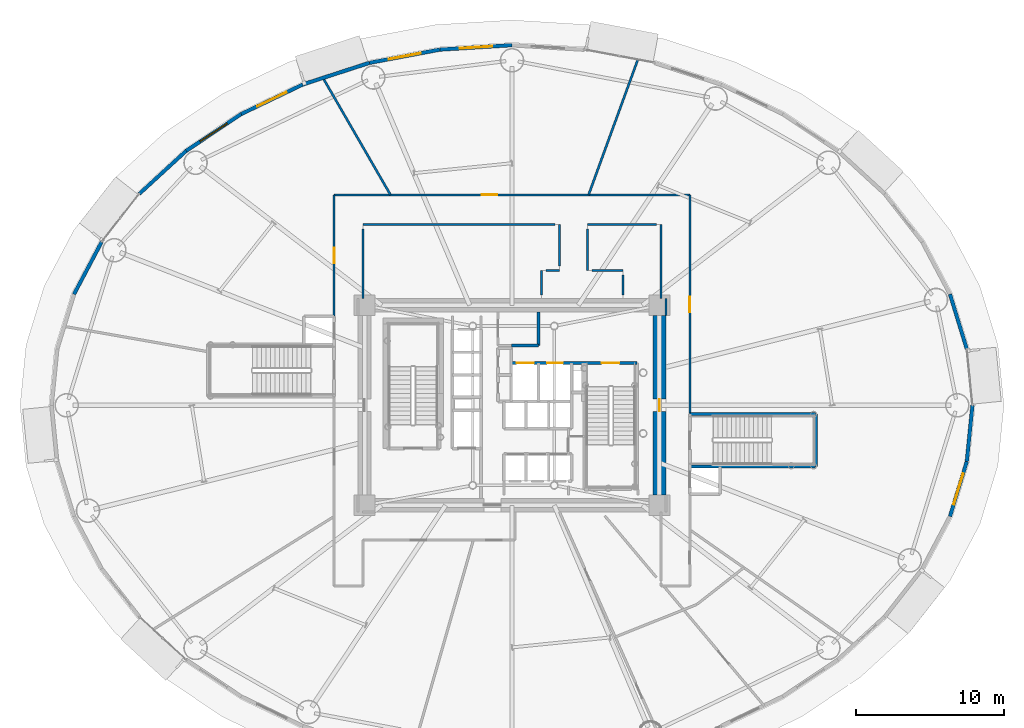
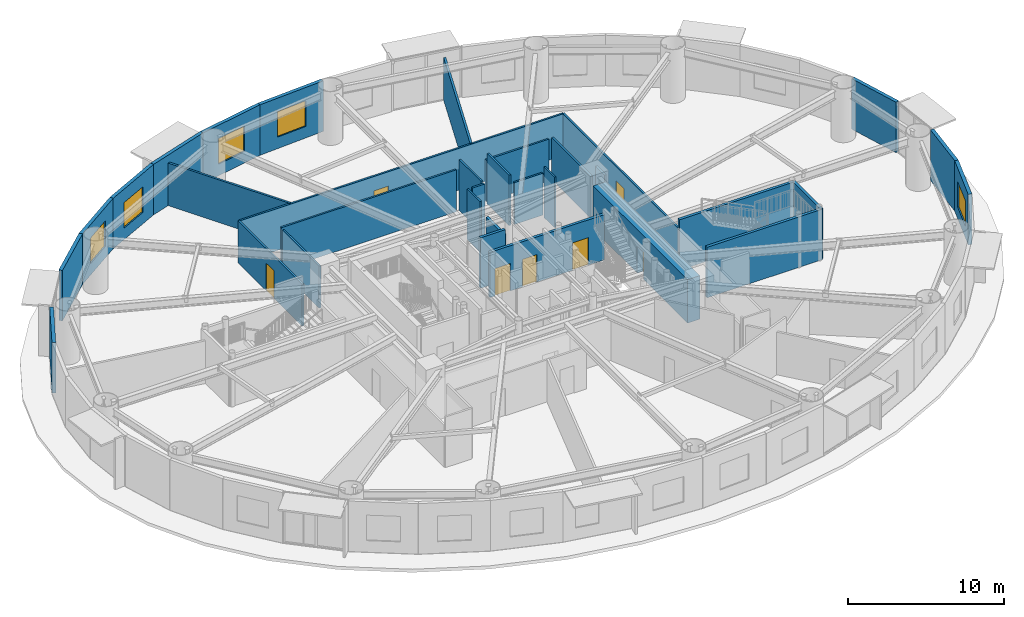
# One storey, part 22 of 35: 33 walls, 7 doors, 5 windows, 12 openings.
"""IFC4 building model written with IfcOpenShell, lengths in metres."""

from ifc_helpers import new_model, si_unit, direction, frame, frame_2d, origin, origin_2d, place, context, subcontext, project, spatial, rectangle, extrude, source, transform, mapped, material, layer, layer_set, type_object, element, fill, save


model = new_model("IFC4")

# Units and contexts
model_context = context("Model", 3, precision=1e-05, world=origin(), true_north=direction((0.0, 1.0)))
body_context = subcontext(model_context, "Body", "Model", "MODEL_VIEW")
ifc_project = project(units=[si_unit("LENGTHUNIT", "METRE"), si_unit("AREAUNIT", "SQUARE_METRE"), si_unit("VOLUMEUNIT", "CUBIC_METRE"), si_unit("PLANEANGLEUNIT", "RADIAN"), si_unit("MASSUNIT", "GRAM", prefix="KILO")], contexts=[model_context])

# Site, building, storey
site_placement = place(None, origin())
site = spatial("IfcSite", under=ifc_project, at=site_placement, CompositionType="ELEMENT")
building_placement = place(site_placement, origin())
building = spatial("IfcBuilding", under=site, at=building_placement, Name="Linh Dai School and Residence Tower", CompositionType="ELEMENT")
storey_placement = place(building_placement, frame((0.0, 0.0, 32.39990234375)))
storey = spatial("IfcBuildingStorey", under=building, at=storey_placement, Name="L07", CompositionType="ELEMENT", Elevation=32.39990234375)

# Wall
ifc_material_1 = material(Name="Precast Concrete B45 (C35/45)", Category="concrete")
ifc_layer_1 = layer(ifc_material_1, 0.25)
ifc_layer_set_1 = layer_set([ifc_layer_1], Name="Precast Concrete B45 (C35/45)")
wall_type_1 = type_object("IfcWallType", Name="EW-TC-250", PredefinedType="SOLIDWALL", material=ifc_layer_set_1)
wall_1_placement = place(storey_placement, frame((65.5576171875, 34.50146484375, 0.0), z_axis=(0.0, 0.0, 1.0), x_axis=(0.293111631758, -0.956078224482, 0.0)))
element("IfcWall", 1, at=wall_1_placement, inside=storey, type_object=wall_type_1, Name="L07 Terracotta Exterior Wall 02", PredefinedType="SOLIDWALL", context=body_context, shape_type="SweptSolid", body=[
    extrude(rectangle(XDim=3.874755859375, YDim=0.25, at=frame_2d((1.9375, 0.0))), origin(), (0.0, 0.0, 1.0), 3.9501953125),
])

# Wall, opening, window
wall_2_placement = place(storey_placement, frame((31.134521484375, 51.005126953125, 0.0), z_axis=(0.0, 0.0, 1.0), x_axis=(0.998106954071, 0.061502099433, 0.0)))
wall_2 = element("IfcWall", 2, at=wall_2_placement, inside=storey, type_object=wall_type_1, Name="L07 Terracotta Exterior Wall 11", PredefinedType="SOLIDWALL", context=body_context, shape_type="SweptSolid", body=[
    extrude(rectangle(XDim=4.874755859375, YDim=0.25, at=frame_2d((2.4375, 0.0))), origin(), (0.0, 0.0, 1.0), 3.9501953125),
])
opening_1_placement = place(wall_2_placement, frame((1.33740234375, 0.0, 0.89990234375)))
opening_1 = element("IfcOpeningElement", 3, at=opening_1_placement, cuts=wall_2, Name="Opening W4", PredefinedType="OPENING", context=body_context, shape_type="SweptSolid", body=[
    extrude(rectangle(XDim=2.199951171875, YDim=2.0, at=origin_2d()), frame((1.10009765625, 0.135009765625, 1.0), z_axis=(0.0, -1.0, 0.0), x_axis=(1.0, 0.0, 0.0)), (0.0, 0.0, 1.0), 0.27001953125),
])
ifc_material_2 = material(Name="Acoustic Laminated Low-E Glazing", Category="glass")
window_type = type_object("IfcWindowType", Name="WN-SCH-2200x2000", PartitioningType="TRIPLE_PANEL_VERTICAL", PredefinedType="WINDOW", material=ifc_material_2)
shared_shape_1 = source(origin(), body_context, "Body", "SweptSolid", [
    extrude(rectangle(XDim=2.199951171875, YDim=2.0, at=origin_2d()), frame((1.10009765625, 0.030029296875, 1.0), z_axis=(0.0, -1.0, 0.0), x_axis=(1.0, 0.0, 0.0)), (0.0, 0.0, 1.0), 0.06005859375),
])
window_1_placement = place(opening_1_placement, origin())
window_1 = element("IfcWindow", 4, at=window_1_placement, inside=storey, type_object=window_type, Name="L07 Exterior Window 11.1", OverallHeight=2.0, OverallWidth=2.199951171875, PartitioningType="TRIPLE_PANEL_VERTICAL", PredefinedType="WINDOW", context=body_context, shape_type="MappedRepresentation", body=[
    mapped(shared_shape_1, transform((0.0, 0.0, 0.0), x_axis=(1.0, 0.0, 0.0), y_axis=(0.0, 1.0, 0.0), z_axis=(0.0, 0.0, 1.0), scale=1.0)),
])
fill(opening_1, window_1)

wall_3_placement = place(storey_placement, frame((26.389404296875, 50.11328125, 0.0), z_axis=(0.0, 0.0, 1.0), x_axis=(0.982791952378, 0.184715939598, 0.0)))
wall_3 = element("IfcWall", 5, at=wall_3_placement, inside=storey, type_object=wall_type_1, Name="L07 Terracotta Exterior Wall 12", PredefinedType="SOLIDWALL", context=body_context, shape_type="SweptSolid", body=[
    extrude(rectangle(XDim=4.828125, YDim=0.25, at=frame_2d((2.4140625, 0.0))), origin(), (0.0, 0.0, 1.0), 3.9501953125),
])
opening_2_placement = place(wall_3_placement, frame((1.314208984375, 0.0, 0.89990234375)))
opening_2 = element("IfcOpeningElement", 6, at=opening_2_placement, cuts=wall_3, Name="Opening W4", PredefinedType="OPENING", context=body_context, shape_type="SweptSolid", body=[
    extrude(rectangle(XDim=2.199951171875, YDim=2.0, at=origin_2d()), frame((1.10009765625, 0.135009765625, 1.0), z_axis=(0.0, -1.0, 0.0), x_axis=(1.0, 0.0, 0.0)), (0.0, 0.0, 1.0), 0.27001953125),
])
window_2_placement = place(opening_2_placement, origin())
window_2 = element("IfcWindow", 7, at=window_2_placement, inside=storey, type_object=window_type, Name="L07 Exterior Window 12.1", OverallHeight=2.0, OverallWidth=2.199951171875, PartitioningType="TRIPLE_PANEL_VERTICAL", PredefinedType="WINDOW", context=body_context, shape_type="MappedRepresentation", body=[
    mapped(shared_shape_1, transform((0.0, 0.0, 0.0), x_axis=(1.0, 0.0, 0.0), y_axis=(0.0, 1.0, 0.0), z_axis=(0.0, 0.0, 1.0), scale=1.0)),
])
fill(opening_2, window_2)

# Wall
wall_4_placement = place(storey_placement, frame((21.8818359375, 48.651123046875, 0.0), z_axis=(0.0, 0.0, 1.0), x_axis=(0.951207699013, 0.308551313946, 0.0)))
element("IfcWall", 8, at=wall_4_placement, inside=storey, type_object=wall_type_1, Name="L07 Terracotta Exterior Wall 13", PredefinedType="SOLIDWALL", context=body_context, shape_type="SweptSolid", body=[
    extrude(rectangle(XDim=4.73876953125, YDim=0.25, at=frame_2d((2.369384765625, 0.0))), origin(), (0.0, 0.0, 1.0), 3.9501953125),
])

# Wall, opening, window
wall_5_placement = place(storey_placement, frame((17.722900390625, 46.65576171875, 0.0), z_axis=(0.0, 0.0, 1.0), x_axis=(0.901601503137, 0.432567601123, 0.0)))
wall_5 = element("IfcWall", 9, at=wall_5_placement, inside=storey, type_object=wall_type_1, Name="L07 Terracotta Exterior Wall 14", PredefinedType="SOLIDWALL", context=body_context, shape_type="SweptSolid", body=[
    extrude(rectangle(XDim=4.61279296875, YDim=0.25, at=frame_2d((2.306396484375, 0.0))), origin(), (0.0, 0.0, 1.0), 3.9501953125),
])
opening_3_placement = place(wall_5_placement, frame((1.20654296875, 0.0, 0.89990234375)))
opening_3 = element("IfcOpeningElement", 10, at=opening_3_placement, cuts=wall_5, Name="Opening W4", PredefinedType="OPENING", context=body_context, shape_type="SweptSolid", body=[
    extrude(rectangle(XDim=2.199951171875, YDim=2.0, at=origin_2d()), frame((1.10009765625, 0.135009765625, 1.0), z_axis=(0.0, -1.0, 0.0), x_axis=(1.0, 0.0, 0.0)), (0.0, 0.0, 1.0), 0.27001953125),
])
window_3_placement = place(opening_3_placement, origin())
window_3 = element("IfcWindow", 11, at=window_3_placement, inside=storey, type_object=window_type, Name="L07 Exterior Window 14.1", OverallHeight=2.0, OverallWidth=2.199951171875, PartitioningType="TRIPLE_PANEL_VERTICAL", PredefinedType="WINDOW", context=body_context, shape_type="MappedRepresentation", body=[
    mapped(shared_shape_1, transform((0.0, 0.0, 0.0), x_axis=(1.0, 0.0, 0.0), y_axis=(0.0, 1.0, 0.0), z_axis=(0.0, 0.0, 1.0), scale=1.0)),
])
fill(opening_3, window_3)

wall_6_placement = place(storey_placement, frame((14.015380859375, 44.17626953125, 0.0), z_axis=(0.0, 0.0, 1.0), x_axis=(0.831240982525, 0.555912249343, 0.0)))
wall_6 = element("IfcWall", 12, at=wall_6_placement, inside=storey, type_object=wall_type_1, Name="L07 Terracotta Exterior Wall 15", PredefinedType="SOLIDWALL", context=body_context, shape_type="SweptSolid", body=[
    extrude(rectangle(XDim=4.460205078125, YDim=0.25, at=frame_2d((2.22998046875, 0.0))), origin(), (0.0, 0.0, 1.0), 3.9501953125),
])
opening_4_placement = place(wall_6_placement, frame((1.13037109375, 0.0, 0.89990234375)))
opening_4 = element("IfcOpeningElement", 13, at=opening_4_placement, cuts=wall_6, Name="Opening W4", PredefinedType="OPENING", context=body_context, shape_type="SweptSolid", body=[
    extrude(rectangle(XDim=2.199951171875, YDim=2.0, at=origin_2d()), frame((1.10009765625, 0.135009765625, 1.0), z_axis=(0.0, -1.0, 0.0), x_axis=(1.0, 0.0, 0.0)), (0.0, 0.0, 1.0), 0.27001953125),
])
window_4_placement = place(opening_4_placement, origin())
window_4 = element("IfcWindow", 14, at=window_4_placement, inside=storey, type_object=window_type, Name="L07 Exterior Window 15.1", OverallHeight=2.0, OverallWidth=2.199951171875, PartitioningType="TRIPLE_PANEL_VERTICAL", PredefinedType="WINDOW", context=body_context, shape_type="MappedRepresentation", body=[
    mapped(shared_shape_1, transform((0.0, 0.0, 0.0), x_axis=(1.0, 0.0, 0.0), y_axis=(0.0, 1.0, 0.0), z_axis=(0.0, 0.0, 1.0), scale=1.0)),
])
fill(opening_4, window_4)

# Walls
wall_7_placement = place(storey_placement, frame((10.850341796875, 41.274658203125, 0.0), z_axis=(0.0, 0.0, 1.0), x_axis=(0.737116376281, 0.67576582321, 0.0)))
element("IfcWall", 15, at=wall_7_placement, inside=storey, type_object=wall_type_1, Name="L07 Terracotta Exterior Wall 16", PredefinedType="SOLIDWALL", context=body_context, shape_type="SweptSolid", body=[
    extrude(rectangle(XDim=4.293701171875, YDim=0.25, at=frame_2d((2.14697265625, 0.0))), origin(), (0.0, 0.0, 1.0), 3.9501953125),
])
wall_8_placement = place(storey_placement, frame((6.4423828125, 34.50146484375, 0.0), z_axis=(0.0, 0.0, 1.0), x_axis=(0.467662443071, 0.883907144072, 0.0)))
element("IfcWall", 16, at=wall_8_placement, inside=storey, type_object=wall_type_1, Name="L07 Terracotta Exterior Wall 18", PredefinedType="SOLIDWALL", context=body_context, shape_type="SweptSolid", body=[
    extrude(rectangle(XDim=3.983642578125, YDim=0.25, at=frame_2d((1.99169921875, 0.0))), origin(), (0.0, 0.0, 1.0), 3.9501953125),
])

# Wall, opening, window
wall_9_placement = place(storey_placement, frame((66.693359375, 23.203125, 0.0), z_axis=(0.0, 0.0, 1.0), x_axis=(-0.293111631758, -0.956078224482, 0.0)))
wall_9 = element("IfcWall", 17, at=wall_9_placement, inside=storey, type_object=wall_type_1, Name="L07 Terracotta Exterior Wall 39", PredefinedType="SOLIDWALL", context=body_context, shape_type="SweptSolid", body=[
    extrude(rectangle(XDim=3.874755859375, YDim=0.25, at=frame_2d((1.9375, 0.0))), origin(), (0.0, 0.0, 1.0), 3.9501953125),
])
opening_5_placement = place(wall_9_placement, frame((0.83740234375, 0.0, 0.89990234375)))
opening_5 = element("IfcOpeningElement", 18, at=opening_5_placement, cuts=wall_9, Name="Opening W4", PredefinedType="OPENING", context=body_context, shape_type="SweptSolid", body=[
    extrude(rectangle(XDim=2.199951171875, YDim=2.0, at=origin_2d()), frame((1.10009765625, 0.135009765625, 1.0), z_axis=(0.0, -1.0, 0.0), x_axis=(1.0, 0.0, 0.0)), (0.0, 0.0, 1.0), 0.27001953125),
])
window_5_placement = place(opening_5_placement, origin())
window_5 = element("IfcWindow", 19, at=window_5_placement, inside=storey, type_object=window_type, Name="L07 Exterior Window 39.1", OverallHeight=2.0, OverallWidth=2.199951171875, PartitioningType="TRIPLE_PANEL_VERTICAL", PredefinedType="WINDOW", context=body_context, shape_type="MappedRepresentation", body=[
    mapped(shared_shape_1, transform((0.0, 0.0, 0.0), x_axis=(1.0, 0.0, 0.0), y_axis=(0.0, 1.0, 0.0), z_axis=(0.0, 0.0, 1.0), scale=1.0)),
])
fill(opening_5, window_5)

# Wall
wall_10_placement = place(storey_placement, frame((67.074951171875, 27.0, 0.0), z_axis=(0.0, 0.0, 1.0), x_axis=(-0.099997795174, -0.994987658698, 0.0)))
element("IfcWall", 20, at=wall_10_placement, inside=storey, type_object=wall_type_1, Name="L07 Terracotta Exterior Wall 40", PredefinedType="SOLIDWALL", context=body_context, shape_type="SweptSolid", body=[
    extrude(rectangle(XDim=3.81591796875, YDim=0.25, at=frame_2d((1.907958984375, 0.0))), origin(), (0.0, 0.0, 1.0), 3.9501953125),
])

# Wall, opening, door
ifc_material_3 = material(Name="Autoclaved Aerated Concrete Blockwork", Category="masonry")
ifc_layer_2 = layer(ifc_material_3, 0.135009765625)
ifc_layer_set_2 = layer_set([ifc_layer_2], Name="Autoclaved Aerated Concrete Blockwork")
wall_type_2 = type_object("IfcWallType", Name="IW-CORR-135-EI90", PredefinedType="PARTITIONING", material=ifc_layer_set_2)
wall_11_placement = place(storey_placement, frame((24.0, 33.010009765625, 0.0), z_axis=(0.0, 0.0, 1.0), x_axis=(0.0, 1.0, 0.0)))
wall_11 = element("IfcWall", 21, at=wall_11_placement, inside=storey, type_object=wall_type_2, Name="L07 Interior Partition Wall 012", PredefinedType="PARTITIONING", context=body_context, shape_type="SweptSolid", body=[
    extrude(rectangle(XDim=8.18994140625, YDim=0.135009765625, at=frame_2d((4.094970703125, 0.0))), origin(), (0.0, 0.0, 1.0), 3.28515625),
])
opening_6_placement = place(wall_11_placement, frame((3.570068359375, 0.0, 0.0)))
opening_6 = element("IfcOpeningElement", 22, at=opening_6_placement, cuts=wall_11, Name="Opening D04", PredefinedType="OPENING", context=body_context, shape_type="SweptSolid", body=[
    extrude(rectangle(XDim=1.050048828125, YDim=2.14990234375, at=origin_2d()), frame((0.52490234375, 0.07763671875, 1.074951171875), z_axis=(0.0, -1.0, 0.0), x_axis=(1.0, 0.0, 0.0)), (0.0, 0.0, 1.0), 0.155029296875),
])
ifc_material_4 = material(Name="Acoustic Vision-Panel Timber Classroom Door", Category="wood")
door_type_1 = type_object("IfcDoorType", Name="DR-SCH-1050x2150-FD60S", OperationType="NOTDEFINED", PredefinedType="DOOR", material=ifc_material_4)
shared_shape_2 = source(origin(), body_context, "Body", "SweptSolid", [
    extrude(rectangle(XDim=1.050048828125, YDim=2.14990234375, at=origin_2d()), frame((0.52490234375, 0.02490234375, 1.074951171875), z_axis=(0.0, -1.0, 0.0), x_axis=(1.0, 0.0, 0.0)), (0.0, 0.0, 1.0), 0.050048828125),
])
door_1_placement = place(opening_6_placement, origin())
door_1 = element("IfcDoor", 23, at=door_1_placement, inside=storey, type_object=door_type_1, Name="L07 Physics Optics and Mechanics Lab Door", OperationType="SINGLE_SWING_RIGHT", OverallHeight=2.14990234375, OverallWidth=1.050048828125, PredefinedType="DOOR", context=body_context, shape_type="MappedRepresentation", body=[
    mapped(shared_shape_2, transform((0.0, 0.0, 0.0), x_axis=(1.0, 0.0, 0.0), y_axis=(0.0, 1.0, 0.0), z_axis=(0.0, 0.0, 1.0), scale=1.0)),
])
fill(opening_6, door_1)

wall_12_placement = place(storey_placement, frame((24.0, 41.199951171875, 0.0), z_axis=(0.0, 0.0, 1.0), x_axis=(1.0, 0.0, 0.0)))
wall_12 = element("IfcWall", 24, at=wall_12_placement, inside=storey, type_object=wall_type_2, Name="L07 Interior Partition Wall 013", PredefinedType="PARTITIONING", context=body_context, shape_type="SweptSolid", body=[
    extrude(rectangle(XDim=24.0, YDim=0.135009765625, at=frame_2d((12.0, 0.0))), origin(), (0.0, 0.0, 1.0), 3.28515625),
])
opening_7_placement = place(wall_12_placement, frame((9.9599609375, 0.0, 0.0)))
opening_7 = element("IfcOpeningElement", 25, at=opening_7_placement, cuts=wall_12, Name="Opening D04", PredefinedType="OPENING", context=body_context, shape_type="SweptSolid", body=[
    extrude(rectangle(XDim=1.050048828125, YDim=2.14990234375, at=origin_2d()), frame((0.52490234375, 0.07763671875, 1.074951171875), z_axis=(0.0, -1.0, 0.0), x_axis=(1.0, 0.0, 0.0)), (0.0, 0.0, 1.0), 0.155029296875),
])
door_2_placement = place(opening_7_placement, origin())
door_2 = element("IfcDoor", 26, at=door_2_placement, inside=storey, type_object=door_type_1, Name="L07 Chemistry Wet Laboratory Door", OperationType="SINGLE_SWING_LEFT", OverallHeight=2.14990234375, OverallWidth=1.050048828125, PredefinedType="DOOR", context=body_context, shape_type="MappedRepresentation", body=[
    mapped(shared_shape_2, transform((0.0, 0.0, 0.0), x_axis=(1.0, 0.0, 0.0), y_axis=(0.0, 1.0, 0.0), z_axis=(0.0, 0.0, 1.0), scale=1.0)),
])
fill(opening_7, door_2)

wall_13_placement = place(storey_placement, frame((48.0, 26.429931640625, 0.0), z_axis=(0.0, 0.0, 1.0), x_axis=(0.0, 1.0, 0.0)))
wall_13 = element("IfcWall", 27, at=wall_13_placement, inside=storey, type_object=wall_type_2, Name="L07 Interior Partition Wall 066", PredefinedType="PARTITIONING", context=body_context, shape_type="SweptSolid", body=[
    extrude(rectangle(XDim=14.77001953125, YDim=0.135009765625, at=frame_2d((7.385009765625, 0.0))), origin(), (0.0, 0.0, 1.0), 3.28515625),
])
opening_8_placement = place(wall_13_placement, frame((6.860107421875, 0.0, 0.0)))
opening_8 = element("IfcOpeningElement", 28, at=opening_8_placement, cuts=wall_13, Name="Opening D04", PredefinedType="OPENING", context=body_context, shape_type="SweptSolid", body=[
    extrude(rectangle(XDim=1.050048828125, YDim=2.14990234375, at=origin_2d()), frame((0.52490234375, 0.07763671875, 1.074951171875), z_axis=(0.0, -1.0, 0.0), x_axis=(1.0, 0.0, 0.0)), (0.0, 0.0, 1.0), 0.155029296875),
])
door_3_placement = place(opening_8_placement, origin())
door_3 = element("IfcDoor", 29, at=door_3_placement, inside=storey, type_object=door_type_1, Name="L07 Senior School Tiered Lecture Theatre Door", OperationType="SINGLE_SWING_RIGHT", OverallHeight=2.14990234375, OverallWidth=1.050048828125, PredefinedType="DOOR", context=body_context, shape_type="MappedRepresentation", body=[
    mapped(shared_shape_2, transform((0.0, 0.0, 0.0), x_axis=(1.0, 0.0, 0.0), y_axis=(0.0, 1.0, 0.0), z_axis=(0.0, 0.0, 1.0), scale=1.0)),
])
fill(opening_8, door_3)

# Walls
wall_14_placement = place(storey_placement, frame((46.39990234375, 33.06005859375, 0.0), z_axis=(0.0, 0.0, 1.0), x_axis=(0.0, 1.0, 0.0)))
element("IfcWall", 30, at=wall_14_placement, inside=storey, type_object=wall_type_2, Name="L07 Interior Partition Wall 083", PredefinedType="PARTITIONING", context=body_context, shape_type="SweptSolid", body=[
    extrude(rectangle(XDim=1.139892578125, YDim=0.135009765625, at=frame_2d((0.56982421875, 0.0))), origin(), (0.0, 0.0, 1.0), 3.9501953125),
])
wall_15_placement = place(storey_placement, frame((46.050048828125, 34.199951171875, 0.0), z_axis=(0.0, 0.0, 1.0), x_axis=(0.0, 1.0, 0.0)))
element("IfcWall", 31, at=wall_15_placement, inside=storey, type_object=wall_type_2, Name="L07 Interior Partition Wall 084", PredefinedType="PARTITIONING", context=body_context, shape_type="SweptSolid", body=[
    extrude(rectangle(XDim=5.0, YDim=0.135009765625, at=frame_2d((2.5, 0.0))), origin(), (0.0, 0.0, 1.0), 3.28515625),
])
wall_16_placement = place(storey_placement, frame((45.742431640625, 39.199951171875, 0.0), z_axis=(0.0, 0.0, 1.0), x_axis=(-1.0, 0.0, 0.0)))
element("IfcWall", 32, at=wall_16_placement, inside=storey, type_object=wall_type_2, Name="L07 Interior Partition Wall 085", PredefinedType="PARTITIONING", context=body_context, shape_type="SweptSolid", body=[
    extrude(rectangle(XDim=4.642333984375, YDim=0.135009765625, at=frame_2d((2.3212890625, 0.0))), origin(), (0.0, 0.0, 1.0), 3.28515625),
])
wall_17_placement = place(storey_placement, frame((41.10009765625, 38.892578125, 0.0), z_axis=(0.0, 0.0, 1.0), x_axis=(0.0, -1.0, 0.0)))
element("IfcWall", 33, at=wall_17_placement, inside=storey, type_object=wall_type_2, Name="L07 Interior Partition Wall 086", PredefinedType="PARTITIONING", context=body_context, shape_type="SweptSolid", body=[
    extrude(rectangle(XDim=2.79248046875, YDim=0.135009765625, at=frame_2d((1.396240234375, 0.0))), origin(), (0.0, 0.0, 1.0), 3.9501953125),
])
wall_18_placement = place(storey_placement, frame((41.407470703125, 36.10009765625, 0.0), z_axis=(0.0, 0.0, 1.0), x_axis=(1.0, 0.0, 0.0)))
element("IfcWall", 34, at=wall_18_placement, inside=storey, type_object=wall_type_2, Name="L07 Interior Partition Wall 087", PredefinedType="PARTITIONING", context=body_context, shape_type="SweptSolid", body=[
    extrude(rectangle(XDim=2.092529296875, YDim=0.135009765625, at=frame_2d((1.04638671875, 0.0))), origin(), (0.0, 0.0, 1.0), 3.28515625),
])
wall_19_placement = place(storey_placement, frame((43.5, 35.79248046875, 0.0), z_axis=(0.0, 0.0, 1.0), x_axis=(0.0, -1.0, 0.0)))
element("IfcWall", 35, at=wall_19_placement, inside=storey, type_object=wall_type_2, Name="L07 Interior Partition Wall 088", PredefinedType="PARTITIONING", context=body_context, shape_type="SweptSolid", body=[
    extrude(rectangle(XDim=1.33251953125, YDim=0.135009765625, at=frame_2d((0.666259765625, 0.0))), origin(), (0.0, 0.0, 1.0), 3.9501953125),
])
wall_20_placement = place(storey_placement, frame((38.0, 34.4599609375, 0.0), z_axis=(0.0, 0.0, 1.0), x_axis=(0.0, 1.0, 0.0)))
element("IfcWall", 36, at=wall_20_placement, inside=storey, type_object=wall_type_2, Name="L07 Interior Partition Wall 089", PredefinedType="PARTITIONING", context=body_context, shape_type="SweptSolid", body=[
    extrude(rectangle(XDim=1.64013671875, YDim=0.135009765625, at=frame_2d((0.820068359375, 0.0))), origin(), (0.0, 0.0, 1.0), 3.9501953125),
])
wall_21_placement = place(storey_placement, frame((38.3076171875, 36.10009765625, 0.0), z_axis=(0.0, 0.0, 1.0), x_axis=(1.0, 0.0, 0.0)))
element("IfcWall", 37, at=wall_21_placement, inside=storey, type_object=wall_type_2, Name="L07 Interior Partition Wall 090", PredefinedType="PARTITIONING", context=body_context, shape_type="SweptSolid", body=[
    extrude(rectangle(XDim=0.892333984375, YDim=0.135009765625, at=frame_2d((0.4462890625, 0.0))), origin(), (0.0, 0.0, 1.0), 3.9501953125),
])
wall_22_placement = place(storey_placement, frame((39.199951171875, 36.407470703125, 0.0), z_axis=(0.0, 0.0, 1.0), x_axis=(0.0, 1.0, 0.0)))
element("IfcWall", 38, at=wall_22_placement, inside=storey, type_object=wall_type_2, Name="L07 Interior Partition Wall 091", PredefinedType="PARTITIONING", context=body_context, shape_type="SweptSolid", body=[
    extrude(rectangle(XDim=2.79248046875, YDim=0.135009765625, at=frame_2d((1.396240234375, 0.0))), origin(), (0.0, 0.0, 1.0), 3.9501953125),
])
wall_23_placement = place(storey_placement, frame((38.892578125, 39.199951171875, 0.0), z_axis=(0.0, 0.0, 1.0), x_axis=(-1.0, 0.0, 0.0)))
element("IfcWall", 39, at=wall_23_placement, inside=storey, type_object=wall_type_2, Name="L07 Interior Partition Wall 092", PredefinedType="PARTITIONING", context=body_context, shape_type="SweptSolid", body=[
    extrude(rectangle(XDim=12.942626953125, YDim=0.135009765625, at=frame_2d((6.47119140625, 0.0))), origin(), (0.0, 0.0, 1.0), 3.28515625),
])
wall_24_placement = place(storey_placement, frame((25.949951171875, 38.892578125, 0.0), z_axis=(0.0, 0.0, 1.0), x_axis=(0.0, -1.0, 0.0)))
element("IfcWall", 40, at=wall_24_placement, inside=storey, type_object=wall_type_2, Name="L07 Interior Partition Wall 093", PredefinedType="PARTITIONING", context=body_context, shape_type="SweptSolid", body=[
    extrude(rectangle(XDim=4.692626953125, YDim=0.135009765625, at=frame_2d((2.34619140625, 0.0))), origin(), (0.0, 0.0, 1.0), 3.28515625),
])
ifc_layer_3 = layer(ifc_material_3, 0.14990234375)
ifc_layer_set_3 = layer_set([ifc_layer_3], Name="Autoclaved Aerated Concrete Blockwork")
wall_type_3 = type_object("IfcWallType", Name="IW-SCH-150-EI60", PredefinedType="PARTITIONING", material=ifc_layer_set_3)
wall_25_placement = place(storey_placement, frame((23.241943359375, 49.09765625, 0.0), z_axis=(0.0, 0.0, 1.0), x_axis=(0.499985867395, -0.866033563094, 0.0)))
element("IfcWall", 41, at=wall_25_placement, inside=storey, type_object=wall_type_3, Name="L07 Interior Partition Wall 008", PredefinedType="PARTITIONING", context=body_context, shape_type="SweptSolid", body=[
    extrude(rectangle(XDim=9.119384765625, YDim=0.14990234375, at=frame_2d((4.5595703125, 0.0))), origin(), (0.0, 0.0, 1.0), 3.335205078125),
])
wall_26_placement = place(storey_placement, frame((41.16845703125, 41.199951171875, 0.0), z_axis=(0.0, 0.0, 1.0), x_axis=(0.342015460213, 0.939694325286, 0.0)))
element("IfcWall", 42, at=wall_26_placement, inside=storey, type_object=wall_type_3, Name="L07 Interior Partition Wall 055", PredefinedType="PARTITIONING", context=body_context, shape_type="SweptSolid", body=[
    extrude(rectangle(XDim=9.714599609375, YDim=0.14990234375, at=frame_2d((4.857421875, 0.0))), origin(), (0.0, 0.0, 1.0), 3.335205078125),
])

# Wall, openings, doors
ifc_material_5 = material(Name="Concrete B45 (C35/45)", Category="concrete")
ifc_layer_4 = layer(ifc_material_5, 0.199951171875)
ifc_layer_set_4 = layer_set([ifc_layer_4], Name="Concrete B45 (C35/45)")
wall_type_4 = type_object("IfcWallType", Name="IW-SHAFT-200-EI120", PredefinedType="PARTITIONING", material=ifc_layer_set_4)
wall_27_placement = place(storey_placement, frame((35.949951171875, 29.85009765625, 0.0), z_axis=(0.0, 0.0, 1.0), x_axis=(1.0, 0.0, 0.0)))
wall_27 = element("IfcWall", 43, at=wall_27_placement, inside=storey, type_object=wall_type_4, Name="L07 Interior Partition Wall 037", PredefinedType="PARTITIONING", context=body_context, shape_type="SweptSolid", body=[
    extrude(rectangle(XDim=8.489990234375, YDim=0.199951171875, at=frame_2d((4.2451171875, 0.0))), origin(), (0.0, 0.0, 1.0), 3.53515625),
])
opening_9_placement = place(wall_27_placement, frame((6.10009765625, 0.0, 0.0)))
opening_9 = element("IfcOpeningElement", 44, at=opening_9_placement, cuts=wall_27, Name="Opening D01", PredefinedType="OPENING", context=body_context, shape_type="SweptSolid", body=[
    extrude(rectangle(XDim=1.199951171875, YDim=2.14990234375, at=origin_2d()), frame((0.60009765625, 0.10986328125, 1.074951171875), z_axis=(0.0, -1.0, 0.0), x_axis=(1.0, 0.0, 0.0)), (0.0, 0.0, 1.0), 0.219970703125),
])
opening_10_placement = place(wall_27_placement, frame((0.3701171875, 0.0, 0.0)))
opening_10 = element("IfcOpeningElement", 45, at=opening_10_placement, cuts=wall_27, Name="Opening LD-FF1", PredefinedType="OPENING", context=body_context, shape_type="SweptSolid", body=[
    extrude(rectangle(XDim=1.14990234375, YDim=2.14990234375, at=origin_2d()), frame((0.574951171875, 0.10986328125, 1.074951171875), z_axis=(0.0, -1.0, 0.0), x_axis=(1.0, 0.0, 0.0)), (0.0, 0.0, 1.0), 0.219970703125),
])
opening_11_placement = place(wall_27_placement, frame((2.425048828125, 0.0, 0.0)))
opening_11 = element("IfcOpeningElement", 46, at=opening_11_placement, cuts=wall_27, Name="Opening LD-SV1", PredefinedType="OPENING", context=body_context, shape_type="SweptSolid", body=[
    extrude(rectangle(XDim=1.050048828125, YDim=2.14990234375, at=origin_2d()), frame((0.52490234375, 0.10986328125, 1.074951171875), z_axis=(0.0, -1.0, 0.0), x_axis=(1.0, 0.0, 0.0)), (0.0, 0.0, 1.0), 0.219970703125),
])
ifc_material_6 = material(Name="Fire-Rated Steel Door Leaf", Category="steel")
door_type_2 = type_object("IfcDoorType", Name="DR-STAIR-1200x2150-FD90S", OperationType="NOTDEFINED", PredefinedType="DOOR", material=ifc_material_6)
shared_shape_3 = source(origin(), body_context, "Body", "SweptSolid", [
    extrude(rectangle(XDim=1.199951171875, YDim=2.14990234375, at=origin_2d()), frame((0.60009765625, 0.02490234375, 1.074951171875), z_axis=(0.0, -1.0, 0.0), x_axis=(1.0, 0.0, 0.0)), (0.0, 0.0, 1.0), 0.050048828125),
])
door_4_placement = place(opening_9_placement, origin())
door_4 = element("IfcDoor", 47, at=door_4_placement, inside=storey, type_object=door_type_2, Name="L07 Core Smokeproof Exit Stair ST2 Door", OperationType="SINGLE_SWING_RIGHT", OverallHeight=2.14990234375, OverallWidth=1.199951171875, PredefinedType="DOOR", context=body_context, shape_type="MappedRepresentation", body=[
    mapped(shared_shape_3, transform((0.0, 0.0, 0.0), x_axis=(1.0, 0.0, 0.0), y_axis=(0.0, 1.0, 0.0), z_axis=(0.0, 0.0, 1.0), scale=1.0)),
])
fill(opening_9, door_4)
ifc_material_7 = material(Name="Fire-Rated Stainless Steel Firefighting Lift Door", Category="steel")
door_type_3 = type_object("IfcDoorType", Name="DR-LD-FF-1150x2150-FD120", OperationType="DOUBLE_DOOR_SLIDING", PredefinedType="USERDEFINED", material=ifc_material_7)
shared_shape_4 = source(origin(), body_context, "Body", "SweptSolid", [
    extrude(rectangle(XDim=1.14990234375, YDim=2.14990234375, at=origin_2d()), frame((0.574951171875, 0.02490234375, 1.074951171875), z_axis=(0.0, -1.0, 0.0), x_axis=(1.0, 0.0, 0.0)), (0.0, 0.0, 1.0), 0.050048828125),
])
door_5_placement = place(opening_10_placement, origin())
door_5 = element("IfcDoor", 48, at=door_5_placement, inside=storey, type_object=door_type_3, Name="L07 Lift FF1 Sliding Landing Door", ObjectType="LANDING DOOR", OperationType="DOUBLE_DOOR_SLIDING", OverallHeight=2.14990234375, OverallWidth=1.14990234375, PredefinedType="USERDEFINED", context=body_context, shape_type="MappedRepresentation", body=[
    mapped(shared_shape_4, transform((0.0, 0.0, 0.0), x_axis=(1.0, 0.0, 0.0), y_axis=(0.0, 1.0, 0.0), z_axis=(0.0, 0.0, 1.0), scale=1.0)),
])
fill(opening_10, door_5)
ifc_material_8 = material(Name="Brushed Stainless Steel Lift Landing Door", Category="steel")
door_type_4 = type_object("IfcDoorType", Name="DR-LD-PASS-1050x2150", OperationType="DOUBLE_DOOR_SLIDING", PredefinedType="USERDEFINED", material=ifc_material_8)
shared_shape_5 = source(origin(), body_context, "Body", "SweptSolid", [
    extrude(rectangle(XDim=1.050048828125, YDim=2.14990234375, at=origin_2d()), frame((0.52490234375, 0.02490234375, 1.074951171875), z_axis=(0.0, -1.0, 0.0), x_axis=(1.0, 0.0, 0.0)), (0.0, 0.0, 1.0), 0.050048828125),
])
door_6_placement = place(opening_11_placement, origin())
door_6 = element("IfcDoor", 49, at=door_6_placement, inside=storey, type_object=door_type_4, Name="L07 Lift SV1 Sliding Landing Door", ObjectType="LANDING DOOR", OperationType="DOUBLE_DOOR_SLIDING", OverallHeight=2.14990234375, OverallWidth=1.050048828125, PredefinedType="USERDEFINED", context=body_context, shape_type="MappedRepresentation", body=[
    mapped(shared_shape_5, transform((0.0, 0.0, 0.0), x_axis=(1.0, 0.0, 0.0), y_axis=(0.0, 1.0, 0.0), z_axis=(0.0, 0.0, 1.0), scale=1.0)),
])
fill(opening_11, door_6)

# Walls
wall_28_placement = place(storey_placement, frame((35.9599609375, 31.050048828125, 0.0), z_axis=(0.0, 0.0, 1.0), x_axis=(1.0, 0.0, 0.0)))
element("IfcWall", 50, at=wall_28_placement, inside=storey, type_object=wall_type_4, Name="L07 Interior Partition Wall 038", PredefinedType="PARTITIONING", context=body_context, shape_type="SweptSolid", body=[
    extrude(rectangle(XDim=1.840087890625, YDim=0.199951171875, at=frame_2d((0.919921875, 0.0))), origin(), (0.0, 0.0, 1.0), 3.9501953125),
])
wall_29_placement = place(storey_placement, frame((37.800048828125, 31.050048828125, 0.0), z_axis=(0.0, 0.0, 1.0), x_axis=(0.0, 1.0, 0.0)))
element("IfcWall", 51, at=wall_29_placement, inside=storey, type_object=wall_type_4, Name="L07 Interior Partition Wall 043", PredefinedType="PARTITIONING", context=body_context, shape_type="SweptSolid", body=[
    extrude(rectangle(XDim=2.25, YDim=0.199951171875, at=frame_2d((1.125, 0.0))), origin(), (0.0, 0.0, 1.0), 3.53515625),
])
for number, where, z_axis, x_axis, name in (
    (52, (48.0, 22.8798828125, 0.0), (0.0, 0.0, 1.0), (1.0, 0.0, 0.0), "L07 Interior Partition Wall 065"),
    (53, (48.0, 26.419921875, 0.0), (0.0, 0.0, 1.0), (1.0, 0.0, 0.0), "L07 Interior Partition Wall 067"),
):
    element("IfcWall", number, at=place(storey_placement, frame(where, z_axis=z_axis, x_axis=x_axis)), inside=storey, type_object=wall_type_4, Name=name, PredefinedType="PARTITIONING", context=body_context, shape_type="SweptSolid", body=[
        extrude(rectangle(XDim=8.52001953125, YDim=0.199951171875, at=frame_2d((4.260009765625, 0.0))), origin(), (0.0, 0.0, 1.0), 3.9501953125),
    ])
wall_30_placement = place(storey_placement, frame((56.52001953125, 22.8798828125, 0.0), z_axis=(0.0, 0.0, 1.0), x_axis=(0.0, 1.0, 0.0)))
element("IfcWall", 54, at=wall_30_placement, inside=storey, type_object=wall_type_4, Name="L07 Interior Partition Wall 070", PredefinedType="PARTITIONING", context=body_context, shape_type="SweptSolid", body=[
    extrude(rectangle(XDim=3.5400390625, YDim=0.199951171875, at=frame_2d((1.77001953125, 0.0))), origin(), (0.0, 0.0, 1.0), 3.9501953125),
])

# Wall, opening, door
ifc_material_9 = material(Name="Concrete B60 (C50/60)", Category="concrete")
ifc_layer_5 = layer(ifc_material_9, 0.89990234375)
ifc_layer_set_5 = layer_set([ifc_layer_5], Name="Concrete B60 (C50/60)")
wall_type_5 = type_object("IfcWallType", Name="WL-CORE900", PredefinedType="SHEAR", material=ifc_layer_set_5)
wall_31_placement = place(storey_placement, frame((45.949951171875, 33.050048828125, 0.0), z_axis=(0.0, 0.0, 1.0), x_axis=(0.0, -1.0, 0.0)))
wall_31 = element("IfcWall", 55, at=wall_31_placement, inside=storey, type_object=wall_type_5, Name="L07 Central Core Shear Wall E", PredefinedType="SHEAR", context=body_context, shape_type="SweptSolid", body=[
    extrude(rectangle(XDim=12.10009765625, YDim=0.89990234375, at=frame_2d((6.050048828125, 0.0))), origin(), (0.0, 0.0, 1.0), 3.400146484375),
])
opening_12_placement = place(wall_31_placement, frame((5.639892578125, 0.0, 0.0)))
opening_12 = element("IfcOpeningElement", 56, at=opening_12_placement, cuts=wall_31, Name="Opening D06", PredefinedType="OPENING", context=body_context, shape_type="SweptSolid", body=[
    extrude(rectangle(XDim=0.820068359375, YDim=2.10009765625, at=origin_2d()), frame((0.41015625, 0.4599609375, 1.050048828125), z_axis=(0.0, -1.0, 0.0), x_axis=(1.0, 0.0, 0.0)), (0.0, 0.0, 1.0), 0.919921875),
])
ifc_material_10 = material(Name="Moisture-Resistant Timber Bathroom Door", Category="wood")
door_type_5 = type_object("IfcDoorType", Name="DR-WET-820x2100", OperationType="NOTDEFINED", PredefinedType="DOOR", material=ifc_material_10)
shared_shape_6 = source(origin(), body_context, "Body", "SweptSolid", [
    extrude(rectangle(XDim=0.820068359375, YDim=2.10009765625, at=origin_2d()), frame((0.41015625, 0.02490234375, 1.050048828125), z_axis=(0.0, -1.0, 0.0), x_axis=(1.0, 0.0, 0.0)), (0.0, 0.0, 1.0), 0.050048828125),
])
door_7_placement = place(opening_12_placement, origin())
door_7 = element("IfcDoor", 57, at=door_7_placement, inside=storey, type_object=door_type_5, Name="L07 Firefighting Lobby Door", OperationType="SINGLE_SWING_LEFT", OverallHeight=2.10009765625, OverallWidth=0.820068359375, PredefinedType="DOOR", context=body_context, shape_type="MappedRepresentation", body=[
    mapped(shared_shape_6, transform((0.0, 0.0, 0.0), x_axis=(1.0, 0.0, 0.0), y_axis=(0.0, 1.0, 0.0), z_axis=(0.0, 0.0, 1.0), scale=1.0)),
])
fill(opening_12, door_7)

save(model, "model.ifc")
